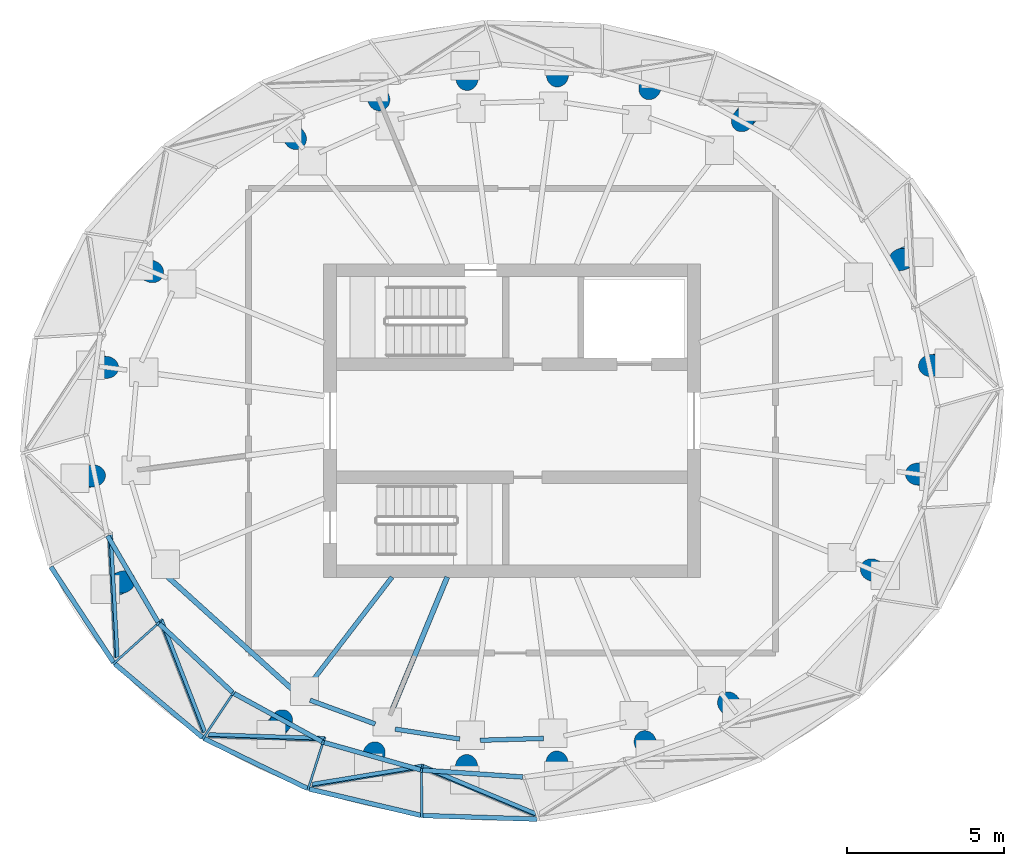
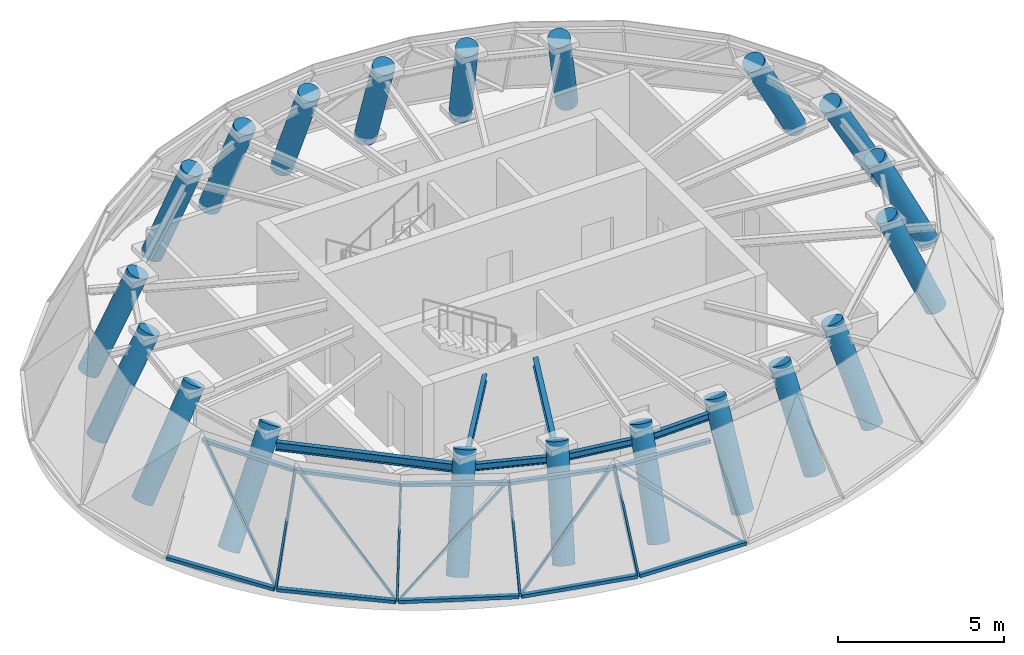
# One storey, part 1 of 8: 20 columns, 19 members, 6 beams, 10 elements without a shape of their own.
"""IFC4 building model written with IfcOpenShell, lengths in metres."""

import ifcopenshell
import ifcopenshell.guid

model = None  # the IFC model being written
_history = None  # IfcOwnerHistory: only IFC2X3 demands one
_inside = {}  # id of a spatial element -> (the spatial element, [elements in it])
_under = {}  # id of a project, library or spatial element -> (it, [spatial elements below it])
_declared = {}  # id of a project -> (the project, [libraries it declares])
_typed = {}  # id of a type object -> (the type object, [elements of that type])
_made_of = {}  # id of a material, layer set ... -> (it, [elements and type objects made of it])


def new_model(schema):
    """Start an empty IFC model of exactly this schema.

    Asked for "IFC4X3", IfcOpenShell would pick the latest addendum, in which some entities
    have other attributes; the version numbers below select the first issue.
    IFC2X3 requires an IfcOwnerHistory on every rooted entity: one is made here for all.
    """
    global model, _history
    if schema == "IFC4X3":
        model = ifcopenshell.file(schema_version=(4, 3, 0, 0))
    else:
        model = ifcopenshell.file(schema=schema)
    _inside.clear()
    _under.clear()
    _declared.clear()
    _typed.clear()
    _made_of.clear()
    _history = None
    if model.schema == "IFC2X3":
        org = make("IfcOrganization", Name="unknown")
        user = make(
            "IfcPersonAndOrganization",
            ThePerson=make("IfcPerson", FamilyName="unknown"),
            TheOrganization=org,
        )
        app = make(
            "IfcApplication",
            ApplicationDeveloper=org,
            Version="unknown",
            ApplicationFullName="unknown",
            ApplicationIdentifier="unknown",
        )
        _history = make(
            "IfcOwnerHistory",
            OwningUser=user,
            OwningApplication=app,
            ChangeAction="ADDED",
            CreationDate=0,
        )
    return model


def make(cls, **values):
    """One entity of the class cls with the attributes given. An attribute that is None is left unset."""
    return model.create_entity(
        cls, **{name: value for name, value in values.items() if value is not None}
    )


def rooted(cls, **values):
    """An entity with a GlobalId (a new one), such as an element, a storey or a relation."""
    return make(cls, GlobalId=ifcopenshell.guid.new(), OwnerHistory=_history, **values)


def si_unit(unit_type, name, prefix=None):
    """IfcSIUnit, for example si_unit("LENGTHUNIT", "METRE", prefix="MILLI")."""
    return make("IfcSIUnit", UnitType=unit_type, Prefix=prefix, Name=name)


def assignment(units):
    """IfcUnitAssignment: the units of a project."""
    return None if units is None else make("IfcUnitAssignment", Units=units)


def point(xyz):
    """IfcCartesianPoint."""
    return None if xyz is None else make("IfcCartesianPoint", Coordinates=xyz)


def direction(xyz):
    """IfcDirection."""
    return None if xyz is None else make("IfcDirection", DirectionRatios=xyz)


def frame(location, z_axis=None, x_axis=None):
    """IfcAxis2Placement3D, a coordinate frame: its origin and axes. An axis left out is left unset."""
    return make(
        "IfcAxis2Placement3D",
        Location=point(location),
        Axis=direction(z_axis),
        RefDirection=direction(x_axis),
    )


def frame_2d(location, x_axis=None):
    """IfcAxis2Placement2D, a coordinate frame in the plane: its origin and x axis."""
    return make(
        "IfcAxis2Placement2D", Location=point(location), RefDirection=direction(x_axis)
    )


def origin():
    """The frame at (0, 0, 0) with its axes left unset."""
    return frame((0.0, 0.0, 0.0))


def origin_2d():
    """The frame at (0, 0) in the plane with its x axis left unset."""
    return frame_2d((0.0, 0.0))


def place(relative_to, where):
    """IfcLocalPlacement: puts the frame where relative to a parent placement (None: the world)."""
    return make(
        "IfcLocalPlacement", PlacementRelTo=relative_to, RelativePlacement=where
    )


def context(
    kind, dimensions, precision=None, world=None, true_north=None, identifier=None
):
    """IfcGeometricRepresentationContext, for example the 3D "Model" context."""
    return make(
        "IfcGeometricRepresentationContext",
        ContextIdentifier=identifier,
        ContextType=kind,
        CoordinateSpaceDimension=dimensions,
        Precision=precision,
        WorldCoordinateSystem=world,
        TrueNorth=true_north,
    )


def subcontext(parent, identifier, kind, view, scale=None):
    """IfcGeometricRepresentationSubContext, for example "Body" below "Model"."""
    return make(
        "IfcGeometricRepresentationSubContext",
        ContextIdentifier=identifier,
        ContextType=kind,
        ParentContext=parent,
        TargetScale=scale,
        TargetView=view,
    )


def project(units=None, contexts=None):
    """IfcProject with its units and contexts."""
    return rooted(
        "IfcProject",
        Name="project",
        RepresentationContexts=contexts,
        UnitsInContext=assignment(units),
    )


def spatial(cls, under=None, at=None, **own):
    """A site, building, storey or space (cls), placed at a placement, below another one or the project."""
    s = rooted(cls, ObjectPlacement=at, **own)
    if under is not None:
        _under.setdefault(under.id(), (under, []))[1].append(s)
    return s


def profile(cls, at=None, kind="AREA", **sizes):
    """A parametric profile (cls). Its sizes go by their IFC names, for example OverallWidth=200.0."""
    return make(cls, ProfileType=kind, Position=at, **sizes)


def rectangle(**sizes):
    """IfcRectangleProfileDef."""
    return profile("IfcRectangleProfileDef", **sizes)


def circle(**sizes):
    """IfcCircleProfileDef."""
    return profile("IfcCircleProfileDef", **sizes)


def i_section(**sizes):
    """IfcIShapeProfileDef."""
    return profile("IfcIShapeProfileDef", **sizes)


def extrude(swept, where, along, depth):
    """IfcExtrudedAreaSolid: the profile swept, set in the frame where, extruded along a direction by depth."""
    return make(
        "IfcExtrudedAreaSolid",
        SweptArea=swept,
        Position=where,
        ExtrudedDirection=direction(along),
        Depth=depth,
    )


def shape(context_of_items, identifier, shape_type, items):
    """IfcShapeRepresentation: the items that make up one representation, for example the "Body"."""
    return make(
        "IfcShapeRepresentation",
        ContextOfItems=context_of_items,
        RepresentationIdentifier=identifier,
        RepresentationType=shape_type,
        Items=items,
    )


def source(mapping_origin, context_of_items, identifier, shape_type, items):
    """IfcRepresentationMap: a shape defined once, which mapped items show again and again."""
    return make(
        "IfcRepresentationMap",
        MappingOrigin=mapping_origin,
        MappedRepresentation=shape(context_of_items, identifier, shape_type, items),
    )


def transform(
    local_origin,
    x_axis=None,
    y_axis=None,
    z_axis=None,
    scale=None,
    scale2=None,
    scale3=None,
    uniform=True,
):
    """IfcCartesianTransformationOperator3D, or its non-uniform kind. x_axis, y_axis, z_axis: its Axis1, 2, 3."""
    if uniform:
        return make(
            "IfcCartesianTransformationOperator3D",
            Axis1=direction(x_axis),
            Axis2=direction(y_axis),
            LocalOrigin=point(local_origin),
            Scale=scale,
            Axis3=direction(z_axis),
        )
    return make(
        "IfcCartesianTransformationOperator3DnonUniform",
        Axis1=direction(x_axis),
        Axis2=direction(y_axis),
        LocalOrigin=point(local_origin),
        Scale=scale,
        Axis3=direction(z_axis),
        Scale2=scale2,
        Scale3=scale3,
    )


def mapped(mapping_source, mapping_target):
    """IfcMappedItem: shows the shape of a source again, moved by a transform."""
    return make(
        "IfcMappedItem", MappingSource=mapping_source, MappingTarget=mapping_target
    )


def material(Name=None, Category=None):
    """IfcMaterial."""
    return make("IfcMaterial", Name=Name, Category=Category)


def layer(
    of_material, thickness, ventilated=None, Name=None, Category=None, Priority=None
):
    """IfcMaterialLayer: one layer of a wall or slab, of a material (None: an air gap)."""
    return make(
        "IfcMaterialLayer",
        Material=of_material,
        LayerThickness=thickness,
        IsVentilated=ventilated,
        Name=Name,
        Category=Category,
        Priority=Priority,
    )


def layer_set(layers, Name=None):
    """IfcMaterialLayerSet."""
    return make("IfcMaterialLayerSet", MaterialLayers=layers, LayerSetName=Name)


def material_profile(
    of_material, cross_section, Name=None, Category=None, Priority=None
):
    """IfcMaterialProfile: a cross section and its material."""
    return make(
        "IfcMaterialProfile",
        Name=Name,
        Material=of_material,
        Profile=cross_section,
        Priority=Priority,
        Category=Category,
    )


def profile_set(profiles, Name=None, composite=None):
    """IfcMaterialProfileSet."""
    return make(
        "IfcMaterialProfileSet",
        Name=Name,
        MaterialProfiles=profiles,
        CompositeProfile=composite,
    )


def made_of(thing, what):
    """Note that an element or type object is made of a material, layer set ...; save() writes the relation."""
    if what is not None:
        _made_of.setdefault(what.id(), (what, []))[1].append(thing)
    return thing


def type_object(cls, material=None, **own):
    """A type object (cls), such as IfcWallType, which elements share."""
    return made_of(rooted(cls, **own), material)


def element(
    cls,
    number,
    at=None,
    inside=None,
    cuts=None,
    type_object=None,
    material=None,
    context=None,
    identifier="Body",
    shape_type=None,
    held_by="IfcProductDefinitionShape",
    body=None,
    shapes=None,
    **own,
):
    """One element of the class cls, such as IfcWall. Its Tag is "e" and its number.

    at: its placement. inside: the storey or other place that contains it. cuts: it is an
    opening in that element (IfcRelVoidsElement). A single representation is given by context,
    identifier, shape_type and body (its items); several are given by shapes. held_by: the class
    of the entity that holds the representations. save() writes the other relations.
    """
    e = rooted(cls, Tag="e%d" % number, ObjectPlacement=at, **own)
    if body is not None:
        shapes = [shape(context, identifier, shape_type, body)]
    if shapes is not None:
        e.Representation = make(held_by, Representations=shapes)
    if inside is not None:
        _inside.setdefault(inside.id(), (inside, []))[1].append(e)
    if cuts is not None:
        rooted(
            "IfcRelVoidsElement", RelatingBuildingElement=cuts, RelatedOpeningElement=e
        )
    if type_object is not None:
        _typed.setdefault(type_object.id(), (type_object, []))[1].append(e)
    return made_of(e, material)


def aggregate(whole, parts):
    """IfcRelAggregates: a whole, such as a stair, and the parts it consists of."""
    return rooted("IfcRelAggregates", RelatingObject=whole, RelatedObjects=parts)


def save(model, path):
    """Write the relations noted so far, then the file.

    IfcRelAggregates (storeys below a building ...), IfcRelContainedInSpatialStructure (elements
    in a storey), IfcRelDefinesByType, IfcRelAssociatesMaterial and IfcRelDeclares: one each for
    every whole, place, type object, material and project.
    """
    for whole, parts in _under.values():
        aggregate(whole, parts)
    for where, things in _inside.values():
        rooted(
            "IfcRelContainedInSpatialStructure",
            RelatedElements=things,
            RelatingStructure=where,
        )
    for kind, things in _typed.values():
        rooted("IfcRelDefinesByType", RelatedObjects=things, RelatingType=kind)
    for what, things in _made_of.values():
        rooted("IfcRelAssociatesMaterial", RelatedObjects=things, RelatingMaterial=what)
    for by, libraries in _declared.values():
        rooted("IfcRelDeclares", RelatingContext=by, RelatedDefinitions=libraries)
    model.write(path)


model = new_model("IFC4")

# Units and contexts
model_context = context("Model", 3, precision=1e-05, world=origin(), true_north=direction((0.0, 1.0)))
body_context = subcontext(model_context, "Body", "Model", "MODEL_VIEW")
ifc_project = project(units=[si_unit("LENGTHUNIT", "METRE"), si_unit("AREAUNIT", "SQUARE_METRE"), si_unit("VOLUMEUNIT", "CUBIC_METRE"), si_unit("PLANEANGLEUNIT", "RADIAN"), si_unit("MASSUNIT", "GRAM", prefix="KILO")], contexts=[model_context])

# Site, building, storey
site_placement = place(None, origin())
site = spatial("IfcSite", under=ifc_project, at=site_placement, CompositionType="ELEMENT")
building_placement = place(site_placement, origin())
building = spatial("IfcBuilding", under=site, at=building_placement, Name="Spindrift Exchange Tower", CompositionType="ELEMENT")
storey_placement = place(building_placement, frame((0.0, 0.0, 280.10009765625)))
storey = spatial("IfcBuildingStorey", under=building, at=storey_placement, Name="L69", CompositionType="ELEMENT", Elevation=280.10009765625)

# Columns
ifc_material_1 = material(Name="Concrete 40 MPa", Category="concrete")
ifc_material_profile_1 = material_profile(ifc_material_1, circle(Radius=0.35009765625, at=origin_2d()), Name="RC D700")
ifc_profile_set_1 = profile_set([ifc_material_profile_1], Name="Concrete 40 MPa")
column_type = type_object("IfcColumnType", Name="RC Perimeter Column D700 Concrete 40 MPa", PredefinedType="COLUMN", material=ifc_profile_set_1)
shared_shape_1 = source(origin(), body_context, "Body", "SweptSolid", [
    extrude(circle(Radius=0.35009765625, at=origin_2d()), origin(), (0.0, 0.0, 1.0), 4.014404296875),
])
for number, where, z_axis, x_axis, name in (
    (1, (65.929443359375, 49.833984375, 0.17431640625), (-0.485556516608, -0.063978639212, 0.871860999761), (0.130634394046, -0.991430610326, 0.0), "Perimeter column P6-01 L69"),
    (2, (38.070556640625, 46.166015625, 0.17431640625), (0.485556516608, 0.063978639212, 0.871860999761), (-0.130634394046, 0.991430610326, 0.0), "Perimeter column P6-13 L69"),
):
    element("IfcColumn", number, at=place(storey_placement, frame(where, z_axis=z_axis, x_axis=x_axis)), inside=storey, type_object=column_type, Name=name, PredefinedType="COLUMN", context=body_context, shape_type="MappedRepresentation", body=[
        mapped(shared_shape_1, transform((0.0, 0.0, 0.0), scale=1.0)),
    ])
shared_shape_2 = source(origin(), body_context, "Body", "SweptSolid", [
    extrude(circle(Radius=0.35009765625, at=origin_2d()), origin(), (0.0, 0.0, 1.0), 4.0693359375),
])
for number, where, z_axis, x_axis, name in (
    (3, (64.965087890625, 53.370361328125, 0.181396484375), (-0.471313444732, -0.195280710616, 0.860075043747), (0.382777607766, -0.923840518159, 0.0), "Perimeter column P6-02 L69"),
    (4, (39.034912109375, 42.629638671875, 0.181396484375), (0.471313444732, 0.195280710616, 0.860075043747), (-0.382777607766, 0.923840518159, 0.0), "Perimeter column P6-14 L69"),
):
    element("IfcColumn", number, at=place(storey_placement, frame(where, z_axis=z_axis, x_axis=x_axis)), inside=storey, type_object=column_type, Name=name, PredefinedType="COLUMN", context=body_context, shape_type="MappedRepresentation", body=[
        mapped(shared_shape_2, transform((0.0, 0.0, 0.0), scale=1.0)),
    ])
shared_shape_3 = source(origin(), body_context, "Body", "SweptSolid", [
    extrude(circle(Radius=0.35009765625, at=origin_2d()), origin(), (0.0, 0.0, 1.0), 3.907958984375),
])
for number, where, z_axis, x_axis, name in (
    (5, (59.671875, 57.998046875, 0.15869140625), (-0.270876761649, -0.352901943394, 0.89559254036), (0.793260428126, -0.608882495371, 0.0), "Perimeter column P6-04 L69"),
    (6, (44.328125, 38.001953125, 0.15869140625), (0.270876761649, 0.352901943394, 0.89559254036), (-0.793260428126, 0.608882495371, 0.0), "Perimeter column P6-16 L69"),
):
    element("IfcColumn", number, at=place(storey_placement, frame(where, z_axis=z_axis, x_axis=x_axis)), inside=storey, type_object=column_type, Name=name, PredefinedType="COLUMN", context=body_context, shape_type="MappedRepresentation", body=[
        mapped(shared_shape_3, transform((0.0, 0.0, 0.0), scale=1.0)),
    ])
shared_shape_4 = source(origin(), body_context, "Body", "SweptSolid", [
    extrude(circle(Radius=0.35009765625, at=origin_2d()), origin(), (0.0, 0.0, 1.0), 3.784423828125),
])
for number, where, z_axis, x_axis, name in (
    (7, (53.50732421875, 59.4501953125, 0.135986328125), (-0.049610189762, -0.377076149752, 0.924852640349), (0.991456027497, -0.130441349041, 0.0), "Perimeter column P6-06 L69"),
    (8, (50.49267578125, 36.5498046875, 0.135986328125), (0.049610189762, 0.377076149752, 0.924852640349), (-0.991456027497, 0.130441349041, 0.0), "Perimeter column P6-18 L69"),
):
    element("IfcColumn", number, at=place(storey_placement, frame(where, z_axis=z_axis, x_axis=x_axis)), inside=storey, type_object=column_type, Name=name, PredefinedType="COLUMN", context=body_context, shape_type="MappedRepresentation", body=[
        mapped(shared_shape_4, transform((0.0, 0.0, 0.0), scale=1.0)),
    ])
shared_shape_5 = source(origin(), body_context, "Body", "SweptSolid", [
    extrude(circle(Radius=0.35009765625, at=origin_2d()), origin(), (0.0, 0.0, 1.0), 3.75927734375),
])
for number, where, z_axis, x_axis, name in (
    (9, (50.51025390625, 59.316162109375, 0.130615234375), (0.047604004307, -0.361803421548, 0.93103820702), (0.991454901274, 0.130449908927, 0.0), "Perimeter column P6-07 L69"),
    (10, (53.48974609375, 36.683837890625, 0.130615234375), (-0.047604004307, 0.361803421548, 0.93103820702), (-0.991454901274, -0.130449908927, 0.0), "Perimeter column P6-19 L69"),
):
    element("IfcColumn", number, at=place(storey_placement, frame(where, z_axis=z_axis, x_axis=x_axis)), inside=storey, type_object=column_type, Name=name, PredefinedType="COLUMN", context=body_context, shape_type="MappedRepresentation", body=[
        mapped(shared_shape_5, transform((0.0, 0.0, 0.0), scale=1.0)),
    ])
shared_shape_6 = source(origin(), body_context, "Body", "SweptSolid", [
    extrude(circle(Radius=0.35009765625, at=origin_2d()), origin(), (0.0, 0.0, 1.0), 3.746826171875),
])
for number, where, z_axis, x_axis, name in (
    (11, (47.597900390625, 58.627685546875, 0.127685546875), (0.136574670104, -0.329773094178, 0.934129041323), (0.923901142315, 0.382631257517, 0.0), "Perimeter column P6-08 L69"),
    (12, (56.402099609375, 37.372314453125, 0.127685546875), (-0.136574670104, 0.329773094178, 0.934129041323), (-0.923901142315, -0.382631257517, 0.0), "Perimeter column P6-20 L69"),
):
    element("IfcColumn", number, at=place(storey_placement, frame(where, z_axis=z_axis, x_axis=x_axis)), inside=storey, type_object=column_type, Name=name, PredefinedType="COLUMN", context=body_context, shape_type="MappedRepresentation", body=[
        mapped(shared_shape_6, transform((0.0, 0.0, 0.0), scale=1.0)),
    ])
shared_shape_7 = source(origin(), body_context, "Body", "SweptSolid", [
    extrude(circle(Radius=0.35009765625, at=origin_2d()), origin(), (0.0, 0.0, 1.0), 3.807373046875),
])
for number, where, z_axis, x_axis, name in (
    (13, (40.10205078125, 52.92822265625, 0.140625), (0.363645996148, -0.150626775693, 0.919278610613), (0.382682721486, 0.923879826967, 0.0), "Perimeter column P6-11 L69"),
    (14, (63.89794921875, 43.07177734375, 0.140625), (-0.363645996148, 0.150626775693, 0.919278610613), (-0.382682721486, -0.923879826967, 0.0), "Perimeter column P6-23 L69"),
):
    element("IfcColumn", number, at=place(storey_placement, frame(where, z_axis=z_axis, x_axis=x_axis)), inside=storey, type_object=column_type, Name=name, PredefinedType="COLUMN", context=body_context, shape_type="MappedRepresentation", body=[
        mapped(shared_shape_7, transform((0.0, 0.0, 0.0), scale=1.0)),
    ])
shared_shape_8 = source(origin(), body_context, "Body", "SweptSolid", [
    extrude(circle(Radius=0.35009765625, at=origin_2d()), origin(), (0.0, 0.0, 1.0), 3.898193359375),
])
for number, where, z_axis, x_axis, name in (
    (15, (38.5654296875, 49.768798828125, 0.156982421875), (0.436525820631, -0.057493644669, 0.897852821316), (0.130579616175, 0.991437826512, 0.0), "Perimeter column P6-12 L69"),
    (16, (65.4345703125, 46.231201171875, 0.156982421875), (-0.436525820631, 0.057493644669, 0.897852821316), (-0.130579616175, -0.991437826512, 0.0), "Perimeter column P6-24 L69"),
):
    element("IfcColumn", number, at=place(storey_placement, frame(where, z_axis=z_axis, x_axis=x_axis)), inside=storey, type_object=column_type, Name=name, PredefinedType="COLUMN", context=body_context, shape_type="MappedRepresentation", body=[
        mapped(shared_shape_8, transform((0.0, 0.0, 0.0), scale=1.0)),
    ])
shared_shape_9 = source(origin(), body_context, "Body", "SweptSolid", [
    extrude(circle(Radius=0.35009765625, at=origin_2d()), origin(), (0.0, 0.0, 1.0), 3.833740234375),
])
for number, where, z_axis, x_axis, name in (
    (17, (56.57568359375, 59.047119140625, 0.145751953125), (-0.156087835133, -0.377005297426, 0.912964179712), (0.923942661325, -0.382530990356, 0.0), "Perimeter column P6-05 L69"),
    (18, (47.42431640625, 36.952880859375, 0.145751953125), (0.156087835133, 0.377005297426, 0.912964179712), (-0.923942661325, 0.382530990356, 0.0), "Perimeter column P6-17 L69"),
):
    element("IfcColumn", number, at=place(storey_placement, frame(where, z_axis=z_axis, x_axis=x_axis)), inside=storey, type_object=column_type, Name=name, PredefinedType="COLUMN", context=body_context, shape_type="MappedRepresentation", body=[
        mapped(shared_shape_9, transform((0.0, 0.0, 0.0), scale=1.0)),
    ])
shared_shape_10 = source(origin(), body_context, "Body", "SweptSolid", [
    extrude(circle(Radius=0.35009765625, at=origin_2d()), origin(), (0.0, 0.0, 1.0), 3.738525390625),
])
for number, where, z_axis, x_axis, name in (
    (19, (44.8447265625, 57.324951171875, 0.1259765625), (0.213995199353, -0.278905552773, 0.936171857773), (0.793376088289, 0.608731782094, 0.0), "Perimeter column P6-09 L69"),
    (20, (59.1552734375, 38.675048828125, 0.1259765625), (-0.213995199353, 0.278905552773, 0.936171857773), (-0.793376088289, -0.608731782094, 0.0), "Perimeter column P6-21 L69"),
):
    element("IfcColumn", number, at=place(storey_placement, frame(where, z_axis=z_axis, x_axis=x_axis)), inside=storey, type_object=column_type, Name=name, PredefinedType="COLUMN", context=body_context, shape_type="MappedRepresentation", body=[
        mapped(shared_shape_10, transform((0.0, 0.0, 0.0), scale=1.0)),
    ])

# Beams
ifc_material_2 = material(Name="Steel Grade 300", Category="steel")
ifc_material_profile_2 = material_profile(ifc_material_2, i_section(OverallWidth=0.14599609375, OverallDepth=0.251953125, WebThickness=0.006103515625, FlangeThickness=0.008544921875, FilletRadius=0.011962890625, at=origin_2d()), Name="250UB31.4")
ifc_profile_set_2 = profile_set([ifc_material_profile_2], Name="Steel Grade 300")
beam_type_1 = type_object("IfcBeamType", Name="Floor Beam 250UB31.4 Steel Grade 300", PredefinedType="BEAM", material=ifc_profile_set_2)
shared_shape_11 = source(origin(), body_context, "Body", "SweptSolid", [
    extrude(i_section(OverallWidth=0.14599609375, OverallDepth=0.251953125, WebThickness=0.006103515625, FlangeThickness=0.008544921875, FilletRadius=0.011962890625, at=origin_2d()), origin(), (0.0, 0.0, 1.0), 4.46923828125),
])
beam_1_placement = place(storey_placement, frame((48.175537109375, 43.015869140625, 3.093994140625), z_axis=(-0.608765216397, -0.793350434111, 0.0), x_axis=(0.793350434111, -0.608765216397, 0.0)))
element("IfcBeam", 21, at=beam_1_placement, inside=storey, type_object=beam_type_1, Name="L69 radial beam R16A", PredefinedType="BEAM", context=body_context, shape_type="MappedRepresentation", body=[
    mapped(shared_shape_11, transform((0.0, 0.0, 0.0), scale=1.0)),
])
ifc_material_profile_3 = material_profile(ifc_material_2, i_section(OverallWidth=0.1650390625, OverallDepth=0.303955078125, WebThickness=0.006103515625, FlangeThickness=0.01025390625, FilletRadius=0.011474609375, at=origin_2d()), Name="310UB40.4")
ifc_profile_set_3 = profile_set([ifc_material_profile_3], Name="Steel Grade 300")
beam_type_2 = type_object("IfcBeamType", Name="Floor Beam 310UB40.4 Steel Grade 300", PredefinedType="BEAM", material=ifc_profile_set_3)
shared_shape_12 = source(origin(), body_context, "Body", "SweptSolid", [
    extrude(i_section(OverallWidth=0.1650390625, OverallDepth=0.303955078125, WebThickness=0.006103515625, FlangeThickness=0.01025390625, FilletRadius=0.011474609375, at=origin_2d()), origin(), (0.0, 0.0, 1.0), 4.861572265625),
])
beam_2_placement = place(storey_placement, frame((49.9365234375, 43.0185546875, 3.06787109375), z_axis=(-0.382671134103, -0.923884626522, 0.0), x_axis=(0.923884626522, -0.382671134103, 0.0)))
element("IfcBeam", 22, at=beam_2_placement, inside=storey, type_object=beam_type_2, Name="L69 radial beam R17A", PredefinedType="BEAM", context=body_context, shape_type="MappedRepresentation", body=[
    mapped(shared_shape_12, transform((0.0, 0.0, 0.0), scale=1.0)),
])
ifc_material_profile_4 = material_profile(ifc_material_2, i_section(OverallWidth=0.1650390625, OverallDepth=0.303955078125, WebThickness=0.006103515625, FlangeThickness=0.01025390625, FilletRadius=0.011474609375, at=origin_2d()), Name="310UB40.4")
ifc_profile_set_4 = profile_set([ifc_material_profile_4], Name="Steel Grade 300")
beam_type_3 = type_object("IfcBeamType", Name="Edge Beam 310UB40.4 Steel Grade 300", PredefinedType="SPANDREL", material=ifc_profile_set_4)
shared_shape_13 = source(origin(), body_context, "Body", "SweptSolid", [
    extrude(i_section(OverallWidth=0.1650390625, OverallDepth=0.303955078125, WebThickness=0.006103515625, FlangeThickness=0.01025390625, FilletRadius=0.011474609375, at=origin_2d()), origin(), (0.0, 0.0, 1.0), 5.47509765625),
])
beam_3_placement = place(storey_placement, frame((40.945068359375, 43.098388671875, 3.06787109375), z_axis=(0.742260031979, -0.670111964471, 0.0), x_axis=(0.670111964471, 0.742260031979, 0.0)))
element("IfcBeam", 23, at=beam_3_placement, inside=storey, type_object=beam_type_3, Name="L69 edge beam E14", PredefinedType="SPANDREL", context=body_context, shape_type="MappedRepresentation", body=[
    mapped(shared_shape_13, transform((0.0, 0.0, 0.0), scale=1.0)),
])
ifc_material_profile_5 = material_profile(ifc_material_2, i_section(OverallWidth=0.14599609375, OverallDepth=0.251953125, WebThickness=0.006103515625, FlangeThickness=0.008544921875, FilletRadius=0.011962890625, at=origin_2d()), Name="250UB31.4")
ifc_profile_set_5 = profile_set([ifc_material_profile_5], Name="Steel Grade 300")
beam_type_4 = type_object("IfcBeamType", Name="Edge Beam 250UB31.4 Steel Grade 300", PredefinedType="SPANDREL", material=ifc_profile_set_5)
shared_shape_14 = source(origin(), body_context, "Body", "SweptSolid", [
    extrude(i_section(OverallWidth=0.14599609375, OverallDepth=0.251953125, WebThickness=0.006103515625, FlangeThickness=0.008544921875, FilletRadius=0.011962890625, at=origin_2d()), origin(), (0.0, 0.0, 1.0), 2.210693359375),
])
beam_4_placement = place(storey_placement, frame((45.56396484375, 39.094970703125, 3.093994140625), z_axis=(0.939166301396, -0.34346274663, 0.0), x_axis=(0.34346274663, 0.939166301396, 0.0)))
element("IfcBeam", 24, at=beam_4_placement, inside=storey, type_object=beam_type_4, Name="L69 edge beam E16", PredefinedType="SPANDREL", context=body_context, shape_type="MappedRepresentation", body=[
    mapped(shared_shape_14, transform((0.0, 0.0, 0.0), scale=1.0)),
])
shared_shape_15 = source(origin(), body_context, "Body", "SweptSolid", [
    extrude(i_section(OverallWidth=0.14599609375, OverallDepth=0.251953125, WebThickness=0.006103515625, FlangeThickness=0.008544921875, FilletRadius=0.011962890625, at=origin_2d()), origin(), (0.0, 0.0, 1.0), 2.07958984375),
])
beam_5_placement = place(storey_placement, frame((48.276123046875, 38.17236328125, 3.093994140625), z_axis=(0.988448926975, -0.151554342604, 0.0), x_axis=(0.151554342604, 0.988448926975, 0.0)))
element("IfcBeam", 25, at=beam_5_placement, inside=storey, type_object=beam_type_4, Name="L69 edge beam E17", PredefinedType="SPANDREL", context=body_context, shape_type="MappedRepresentation", body=[
    mapped(shared_shape_15, transform((0.0, 0.0, 0.0), scale=1.0)),
])
shared_shape_16 = source(origin(), body_context, "Body", "SweptSolid", [
    extrude(i_section(OverallWidth=0.14599609375, OverallDepth=0.251953125, WebThickness=0.006103515625, FlangeThickness=0.008544921875, FilletRadius=0.011962890625, at=origin_2d()), origin(), (0.0, 0.0, 1.0), 2.014892578125),
])
beam_6_placement = place(storey_placement, frame((50.98779296875, 37.816650390625, 3.093994140625), z_axis=(0.999584142012, 0.028836487976, 0.0), x_axis=(-0.028836487976, 0.999584142012, 0.0)))
element("IfcBeam", 26, at=beam_6_placement, inside=storey, type_object=beam_type_4, Name="L69 edge beam E18", PredefinedType="SPANDREL", context=body_context, shape_type="MappedRepresentation", body=[
    mapped(shared_shape_16, transform((0.0, 0.0, 0.0), scale=1.0)),
])

# Curtain wall, member
ifc_material_3 = material(Name="Fritted laminated glass with bronze frame", Category="glass")
ifc_layer = layer(ifc_material_3, 0.14990234375)
ifc_layer_set = layer_set([ifc_layer], Name="CROWN BRONZE RAKED GLAZED WALL")
curtain_wall_type = type_object("IfcCurtainWallType", Name="CROWN BRONZE RAKED GLAZED WALL", PredefinedType="NOTDEFINED", material=ifc_layer_set)
curtain_wall_1_placement = place(storey_placement, origin())
curtain_wall_1 = element("IfcCurtainWall", 27, at=curtain_wall_1_placement, inside=storey, type_object=curtain_wall_type, Name="L69 Crown Bronze Raked Glazed Wall facet 27", PredefinedType="NOTDEFINED")
ifc_material_4 = material(Name="Bronze anodised aluminium", Category="aluminium")
ifc_material_profile_6 = material_profile(ifc_material_4, rectangle(XDim=0.14990234375, YDim=0.1201171875, at=origin_2d()), Name="CROWN BRONZE RAKED GLAZED WALL TRANSOM 150X120")
ifc_profile_set_6 = profile_set([ifc_material_profile_6], Name="Bronze anodised aluminium")
member_type_1 = type_object("IfcMemberType", Name="CROWN BRONZE RAKED GLAZED WALL TRANSOM 150X120", PredefinedType="USERDEFINED", material=ifc_profile_set_6)
shared_shape_17 = source(origin(), body_context, "Body", "SweptSolid", [
    extrude(rectangle(XDim=0.14990234375, YDim=0.1201171875, at=origin_2d()), origin(), (0.0, 0.0, 1.0), 3.637939453125),
])
member_1_placement = place(storey_placement, frame((39.298095703125, 40.301025390625, 0.059814453125), z_axis=(-0.548100736772, 0.836412327952, 0.0), x_axis=(-0.836412327952, -0.548100736772, 0.0)))
member_1 = element("IfcMember", 28, at=member_1_placement, type_object=member_type_1, Name="L69 transom CW-R.14a", ObjectType="TRANSOM", PredefinedType="USERDEFINED", context=body_context, shape_type="MappedRepresentation", body=[
    mapped(shared_shape_17, transform((0.0, 0.0, 0.0), scale=1.0)),
])
aggregate(curtain_wall_1, [member_1])

curtain_wall_2_placement = place(storey_placement, origin())
curtain_wall_2 = element("IfcCurtainWall", 29, at=curtain_wall_2_placement, inside=storey, type_object=curtain_wall_type, Name="L69 Crown Bronze Raked Glazed Wall facet 29", PredefinedType="NOTDEFINED")
shared_shape_18 = source(origin(), body_context, "Body", "SweptSolid", [
    extrude(rectangle(XDim=0.14990234375, YDim=0.1201171875, at=origin_2d()), origin(), (0.0, 0.0, 1.0), 3.642333984375),
])
member_2_placement = place(storey_placement, frame((42.133544921875, 37.906982421875, 0.059814453125), z_axis=(-0.765803889802, 0.643074181074, 0.0), x_axis=(-0.643074181074, -0.765803889802, 0.0)))
member_2 = element("IfcMember", 30, at=member_2_placement, type_object=member_type_1, Name="L69 transom CW-R.15a", ObjectType="TRANSOM", PredefinedType="USERDEFINED", context=body_context, shape_type="MappedRepresentation", body=[
    mapped(shared_shape_18, transform((0.0, 0.0, 0.0), scale=1.0)),
])

curtain_wall_3_placement = place(storey_placement, origin())
curtain_wall_3 = element("IfcCurtainWall", 31, at=curtain_wall_3_placement, inside=storey, type_object=curtain_wall_type, Name="L69 Crown Bronze Raked Glazed Wall facet 31", PredefinedType="NOTDEFINED")
shared_shape_19 = source(origin(), body_context, "Body", "SweptSolid", [
    extrude(rectangle(XDim=0.14990234375, YDim=0.1201171875, at=origin_2d()), origin(), (0.0, 0.0, 1.0), 3.64501953125),
])
member_3_placement = place(storey_placement, frame((42.19189453125, 37.869384765625, 0.059814453125), z_axis=(0.900673675407, -0.434496179993, 0.0), x_axis=(0.434496179993, 0.900673675407, 0.0)))
member_3 = element("IfcMember", 32, at=member_3_placement, type_object=member_type_1, Name="L69 transom CW-R.16a", ObjectType="TRANSOM", PredefinedType="USERDEFINED", context=body_context, shape_type="MappedRepresentation", body=[
    mapped(shared_shape_19, transform((0.0, 0.0, 0.0), scale=1.0)),
])

curtain_wall_4_placement = place(storey_placement, origin())
curtain_wall_4 = element("IfcCurtainWall", 33, at=curtain_wall_4_placement, inside=storey, type_object=curtain_wall_type, Name="L69 Crown Bronze Raked Glazed Wall facet 33", PredefinedType="NOTDEFINED")
shared_shape_20 = source(origin(), body_context, "Body", "SweptSolid", [
    extrude(rectangle(XDim=0.14990234375, YDim=0.1201171875, at=origin_2d()), origin(), (0.0, 0.0, 1.0), 3.646728515625),
])
member_4_placement = place(storey_placement, frame((45.54052734375, 36.262451171875, 0.059814453125), z_axis=(0.973326660601, -0.229423651274, 0.0), x_axis=(0.229423651274, 0.973326660601, 0.0)))
member_4 = element("IfcMember", 34, at=member_4_placement, type_object=member_type_1, Name="L69 transom CW-R.17a", ObjectType="TRANSOM", PredefinedType="USERDEFINED", context=body_context, shape_type="MappedRepresentation", body=[
    mapped(shared_shape_20, transform((0.0, 0.0, 0.0), scale=1.0)),
])

curtain_wall_5_placement = place(storey_placement, origin())
curtain_wall_5 = element("IfcCurtainWall", 35, at=curtain_wall_5_placement, inside=storey, type_object=curtain_wall_type, Name="L69 Crown Bronze Raked Glazed Wall facet 35", PredefinedType="NOTDEFINED")
shared_shape_21 = source(origin(), body_context, "Body", "SweptSolid", [
    extrude(rectangle(XDim=0.14990234375, YDim=0.1201171875, at=origin_2d()), origin(), (0.0, 0.0, 1.0), 3.6474609375),
])
member_5_placement = place(storey_placement, frame((52.804931640625, 35.302734375, 0.059814453125), z_axis=(-0.999511357517, 0.031257738161, 0.0), x_axis=(-0.031257738161, -0.999511357517, 0.0)))
member_5 = element("IfcMember", 36, at=member_5_placement, type_object=member_type_1, Name="L69 transom CW-R.18a", ObjectType="TRANSOM", PredefinedType="USERDEFINED", context=body_context, shape_type="MappedRepresentation", body=[
    mapped(shared_shape_21, transform((0.0, 0.0, 0.0), scale=1.0)),
])

# Curtain wall, members
curtain_wall_6_placement = place(storey_placement, origin())
curtain_wall_6 = element("IfcCurtainWall", 37, at=curtain_wall_6_placement, inside=storey, type_object=curtain_wall_type, Name="L69 Crown Bronze Raked Glazed Wall facet 28", PredefinedType="NOTDEFINED")
shared_shape_22 = source(origin(), body_context, "Body", "SweptSolid", [
    extrude(rectangle(XDim=0.14990234375, YDim=0.1201171875, at=origin_2d()), origin(), (0.0, 0.0, 1.0), 3.1875),
])
member_6_placement = place(storey_placement, frame((40.718505859375, 41.5810546875, 3.159912109375), z_axis=(-0.504356688365, 0.863495414522, 0.0), x_axis=(-0.863495414522, -0.504356688365, 0.0)))
member_6 = element("IfcMember", 38, at=member_6_placement, type_object=member_type_1, Name="L69 transom CW-R.14b", ObjectType="TRANSOM", PredefinedType="USERDEFINED", context=body_context, shape_type="MappedRepresentation", body=[
    mapped(shared_shape_22, transform((0.0, 0.0, 0.0), scale=1.0)),
])
ifc_material_profile_7 = material_profile(ifc_material_4, rectangle(XDim=0.070068359375, YDim=0.14990234375, at=origin_2d()), Name="CROWN BRONZE RAKED GLAZED WALL MULLION 70X150")
ifc_profile_set_7 = profile_set([ifc_material_profile_7], Name="Bronze anodised aluminium")
member_type_2 = type_object("IfcMemberType", Name="CROWN BRONZE RAKED GLAZED WALL MULLION 70X150", PredefinedType="MULLION", material=ifc_profile_set_7)
shared_shape_23 = source(origin(), body_context, "Body", "SweptSolid", [
    extrude(rectangle(XDim=0.070068359375, YDim=0.14990234375, at=origin_2d()), origin(), (0.0, 0.0, 1.0), 5.020751953125),
])
member_7_placement = place(storey_placement, frame((39.403076171875, 40.48388671875, 0.058837890625), z_axis=(-0.042985757744, 0.785122222327, 0.617847327938), x_axis=(-0.667748881889, 0.437422156833, -0.602306639053)))
member_7 = element("IfcMember", 39, at=member_7_placement, type_object=member_type_2, Name="L69 glazing bar CW-R.14", PredefinedType="MULLION", context=body_context, shape_type="MappedRepresentation", body=[
    mapped(shared_shape_23, transform((0.0, 0.0, 0.0), scale=1.0)),
])
aggregate(curtain_wall_6, [member_6, member_7])

# Curtain wall, member
curtain_wall_7_placement = place(storey_placement, origin())
curtain_wall_7 = element("IfcCurtainWall", 40, at=curtain_wall_7_placement, inside=storey, type_object=curtain_wall_type, Name="L69 Crown Bronze Raked Glazed Wall facet 30", PredefinedType="NOTDEFINED")
shared_shape_24 = source(origin(), body_context, "Body", "SweptSolid", [
    extrude(rectangle(XDim=0.14990234375, YDim=0.1201171875, at=origin_2d()), origin(), (0.0, 0.0, 1.0), 3.1904296875),
])
member_8_placement = place(storey_placement, frame((43.090087890625, 39.345703125, 3.159912109375), z_axis=(-0.729802037527, 0.683658530278, 0.0), x_axis=(-0.683658530278, -0.729802037527, 0.0)))
member_8 = element("IfcMember", 41, at=member_8_placement, type_object=member_type_1, Name="L69 transom CW-R.15b", ObjectType="TRANSOM", PredefinedType="USERDEFINED", context=body_context, shape_type="MappedRepresentation", body=[
    mapped(shared_shape_24, transform((0.0, 0.0, 0.0), scale=1.0)),
])

# Member
shared_shape_25 = source(origin(), body_context, "Body", "SweptSolid", [
    extrude(rectangle(XDim=0.070068359375, YDim=0.14990234375, at=origin_2d()), origin(), (0.0, 0.0, 1.0), 3.655029296875),
])
member_9_placement = place(storey_placement, frame((39.334228515625, 40.286865234375, 0.0380859375), z_axis=(0.378926948694, 0.341655445543, 0.860049954412), x_axis=(-0.669637121797, 0.742688444175, 0.0)))
member_9 = element("IfcMember", 42, at=member_9_placement, type_object=member_type_2, Name="L69 mullion CW-R.15", PredefinedType="MULLION", context=body_context, shape_type="MappedRepresentation", body=[
    mapped(shared_shape_25, transform((0.0, 0.0, 0.0), scale=1.0)),
])

aggregate(curtain_wall_2, [member_2, member_9])

shared_shape_26 = source(origin(), body_context, "Body", "SweptSolid", [
    extrude(rectangle(XDim=0.070068359375, YDim=0.14990234375, at=origin_2d()), origin(), (0.0, 0.0, 1.0), 4.89990234375),
])
member_10_placement = place(storey_placement, frame((42.18408203125, 38.10107421875, 0.057861328125), z_axis=(-0.280164677133, 0.721263358738, 0.633472115432), x_axis=(-0.751103125691, 0.246232815445, -0.612546728972)))
member_10 = element("IfcMember", 43, at=member_10_placement, type_object=member_type_2, Name="L69 glazing bar CW-R.15", PredefinedType="MULLION", context=body_context, shape_type="MappedRepresentation", body=[
    mapped(shared_shape_26, transform((0.0, 0.0, 0.0), scale=1.0)),
])

aggregate(curtain_wall_7, [member_8, member_10])

# Curtain wall, members
curtain_wall_8_placement = place(storey_placement, origin())
curtain_wall_8 = element("IfcCurtainWall", 44, at=curtain_wall_8_placement, inside=storey, type_object=curtain_wall_type, Name="L69 Crown Bronze Raked Glazed Wall facet 32", PredefinedType="NOTDEFINED")
shared_shape_27 = source(origin(), body_context, "Body", "SweptSolid", [
    extrude(rectangle(XDim=0.14990234375, YDim=0.1201171875, at=origin_2d()), origin(), (0.0, 0.0, 1.0), 3.192626953125),
])
member_11_placement = place(storey_placement, frame((43.146484375, 39.304931640625, 3.159912109375), z_axis=(0.877316308591, -0.479912590667, 0.0), x_axis=(0.479912590667, 0.877316308591, 0.0)))
member_11 = element("IfcMember", 45, at=member_11_placement, type_object=member_type_1, Name="L69 transom CW-R.16b", ObjectType="TRANSOM", PredefinedType="USERDEFINED", context=body_context, shape_type="MappedRepresentation", body=[
    mapped(shared_shape_27, transform((0.0, 0.0, 0.0), scale=1.0)),
])
shared_shape_28 = source(origin(), body_context, "Body", "SweptSolid", [
    extrude(rectangle(XDim=0.070068359375, YDim=0.14990234375, at=origin_2d()), origin(), (0.0, 0.0, 1.0), 3.572998046875),
])
member_12_placement = place(storey_placement, frame((42.1708984375, 37.900390625, 0.035400390625), z_axis=(0.261502545508, 0.393381278937, 0.881400923573), x_axis=(-0.832783971925, 0.553598099802, 0.0)))
member_12 = element("IfcMember", 46, at=member_12_placement, type_object=member_type_2, Name="L69 mullion CW-R.16", PredefinedType="MULLION", context=body_context, shape_type="MappedRepresentation", body=[
    mapped(shared_shape_28, transform((0.0, 0.0, 0.0), scale=1.0)),
])
aggregate(curtain_wall_8, [member_11, member_12])

# Member
shared_shape_29 = source(origin(), body_context, "Body", "SweptSolid", [
    extrude(rectangle(XDim=0.070068359375, YDim=0.14990234375, at=origin_2d()), origin(), (0.0, 0.0, 1.0), 4.818359375),
])
member_13_placement = place(storey_placement, frame((42.344482421875, 37.982421875, 0.05712890625), z_axis=(0.764152956195, -0.025740315745, 0.644521291877), x_axis=(-0.5088697396, 0.589972408415, 0.626884475345)))
member_13 = element("IfcMember", 47, at=member_13_placement, type_object=member_type_2, Name="L69 glazing bar CW-R.16", PredefinedType="MULLION", context=body_context, shape_type="MappedRepresentation", body=[
    mapped(shared_shape_29, transform((0.0, 0.0, 0.0), scale=1.0)),
])

aggregate(curtain_wall_3, [member_3, member_13])

# Curtain wall, members
curtain_wall_9_placement = place(storey_placement, origin())
curtain_wall_9 = element("IfcCurtainWall", 48, at=curtain_wall_9_placement, inside=storey, type_object=curtain_wall_type, Name="L69 Crown Bronze Raked Glazed Wall facet 34", PredefinedType="NOTDEFINED")
shared_shape_30 = source(origin(), body_context, "Body", "SweptSolid", [
    extrude(rectangle(XDim=0.14990234375, YDim=0.1201171875, at=origin_2d()), origin(), (0.0, 0.0, 1.0), 3.194091796875),
])
member_14_placement = place(storey_placement, frame((46.011962890625, 37.746337890625, 3.159912109375), z_axis=(0.962092972566, -0.27272167523, 0.0), x_axis=(0.27272167523, 0.962092972566, 0.0)))
member_14 = element("IfcMember", 49, at=member_14_placement, type_object=member_type_1, Name="L69 transom CW-R.17b", ObjectType="TRANSOM", PredefinedType="USERDEFINED", context=body_context, shape_type="MappedRepresentation", body=[
    mapped(shared_shape_30, transform((0.0, 0.0, 0.0), scale=1.0)),
])
shared_shape_31 = source(origin(), body_context, "Body", "SweptSolid", [
    extrude(rectangle(XDim=0.070068359375, YDim=0.14990234375, at=origin_2d()), origin(), (0.0, 0.0, 1.0), 3.504638671875),
])
member_15_placement = place(storey_placement, frame((45.51123046875, 36.28564453125, 0.03271484375), z_axis=(0.131869409005, 0.415252798247, 0.900097535002), x_axis=(-0.953095717909, 0.302669047811, 0.0)))
member_15 = element("IfcMember", 50, at=member_15_placement, type_object=member_type_2, Name="L69 mullion CW-R.17", PredefinedType="MULLION", context=body_context, shape_type="MappedRepresentation", body=[
    mapped(shared_shape_31, transform((0.0, 0.0, 0.0), scale=1.0)),
])
aggregate(curtain_wall_9, [member_14, member_15])

# Member
shared_shape_32 = source(origin(), body_context, "Body", "SweptSolid", [
    extrude(rectangle(XDim=0.070068359375, YDim=0.14990234375, at=origin_2d()), origin(), (0.0, 0.0, 1.0), 4.705078125),
])
member_16_placement = place(storey_placement, frame((45.654541015625, 36.4033203125, 0.05615234375), z_axis=(0.74087766055, 0.12209589125, 0.660449002905), x_axis=(-0.636451650882, 0.44173834842, 0.632294652535)))
member_16 = element("IfcMember", 51, at=member_16_placement, type_object=member_type_2, Name="L69 glazing bar CW-R.17", PredefinedType="MULLION", context=body_context, shape_type="MappedRepresentation", body=[
    mapped(shared_shape_32, transform((0.0, 0.0, 0.0), scale=1.0)),
])

aggregate(curtain_wall_4, [member_4, member_16])

# Curtain wall, member
curtain_wall_10_placement = place(storey_placement, origin())
curtain_wall_10 = element("IfcCurtainWall", 52, at=curtain_wall_10_placement, inside=storey, type_object=curtain_wall_type, Name="L69 Crown Bronze Raked Glazed Wall facet 36", PredefinedType="NOTDEFINED")
shared_shape_33 = source(origin(), body_context, "Body", "SweptSolid", [
    extrude(rectangle(XDim=0.14990234375, YDim=0.1201171875, at=origin_2d()), origin(), (0.0, 0.0, 1.0), 3.19482421875),
])
member_17_placement = place(storey_placement, frame((52.3408203125, 36.6455078125, 3.159912109375), z_axis=(-0.997668698763, 0.068243442972, 0.0), x_axis=(-0.068243442972, -0.997668698763, 0.0)))
member_17 = element("IfcMember", 53, at=member_17_placement, type_object=member_type_1, Name="L69 transom CW-R.18b", ObjectType="TRANSOM", PredefinedType="USERDEFINED", context=body_context, shape_type="MappedRepresentation", body=[
    mapped(shared_shape_33, transform((0.0, 0.0, 0.0), scale=1.0)),
])

# Member
shared_shape_34 = source(origin(), body_context, "Body", "SweptSolid", [
    extrude(rectangle(XDim=0.070068359375, YDim=0.14990234375, at=origin_2d()), origin(), (0.0, 0.0, 1.0), 3.463134765625),
])
member_18_placement = place(storey_placement, frame((49.1240234375, 35.431640625, 0.03076171875), z_axis=(-0.001550928875, 0.410150190619, 0.912016675152), x_axis=(-0.999992850704, -0.003781341134, 0.0)))
member_18 = element("IfcMember", 54, at=member_18_placement, type_object=member_type_2, Name="L69 mullion CW-R.18", PredefinedType="MULLION", context=body_context, shape_type="MappedRepresentation", body=[
    mapped(shared_shape_34, transform((0.0, 0.0, 0.0), scale=1.0)),
])

aggregate(curtain_wall_5, [member_5, member_18])

shared_shape_35 = source(origin(), body_context, "Body", "SweptSolid", [
    extrude(rectangle(XDim=0.070068359375, YDim=0.14990234375, at=origin_2d()), origin(), (0.0, 0.0, 1.0), 4.9755859375),
])
member_19_placement = place(storey_placement, frame((52.724365234375, 35.470703125, 0.05859375), z_axis=(-0.720691345685, 0.302888594561, 0.623588392723), x_axis=(-0.690595850492, -0.234941657364, -0.684017389339)))
member_19 = element("IfcMember", 55, at=member_19_placement, type_object=member_type_2, Name="L69 glazing bar CW-R.18", PredefinedType="MULLION", context=body_context, shape_type="MappedRepresentation", body=[
    mapped(shared_shape_35, transform((0.0, 0.0, 0.0), scale=1.0)),
])

aggregate(curtain_wall_10, [member_17, member_19])

save(model, "model.ifc")
